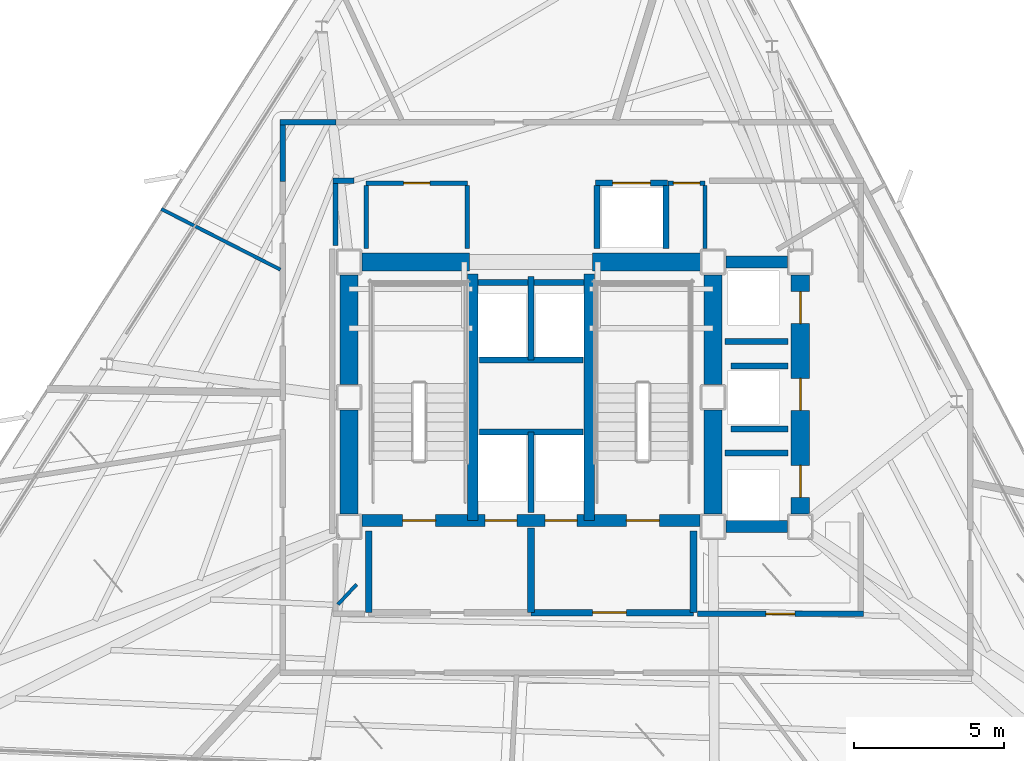
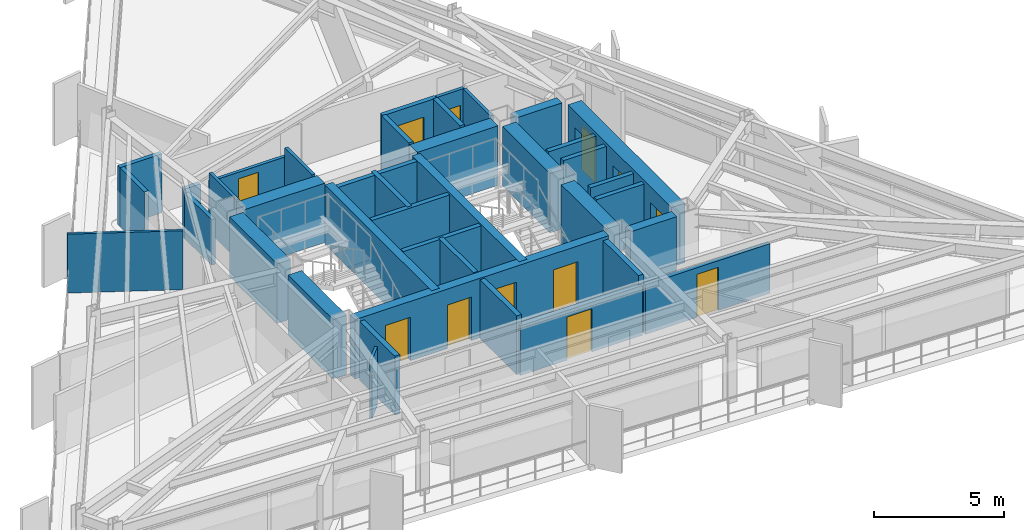
# One storey, part 8 of 12: 40 walls, 12 doors, 12 openings.
"""IFC4 building model written with IfcOpenShell, lengths in metres."""

from ifc_helpers import new_model, si_unit, direction, frame, frame_2d, origin, place, context, subcontext, project, spatial, rectangle, extrude, material, layer, layer_set, type_object, element, fill, save


model = new_model("IFC4")

# Units and contexts
model_context = context("Model", 3, precision=1e-05, world=origin(), true_north=direction((0.0, 1.0)))
body_context = subcontext(model_context, "Body", "Model", "MODEL_VIEW")
ifc_project = project(units=[si_unit("LENGTHUNIT", "METRE"), si_unit("AREAUNIT", "SQUARE_METRE"), si_unit("VOLUMEUNIT", "CUBIC_METRE"), si_unit("PLANEANGLEUNIT", "RADIAN"), si_unit("MASSUNIT", "GRAM", prefix="KILO")], contexts=[model_context])

# Site, building, storey
site_placement = place(None, origin())
site = spatial("IfcSite", under=ifc_project, at=site_placement, CompositionType="ELEMENT")
building_placement = place(site_placement, origin())
building = spatial("IfcBuilding", under=site, at=building_placement, Name="Rocaltana Carrier Exchange", CompositionType="ELEMENT")
storey_placement = place(building_placement, frame((0.0, 0.0, 141.1201171875)))
storey = spatial("IfcBuildingStorey", under=building, at=storey_placement, Name="L44", CompositionType="ELEMENT", Elevation=141.1201171875)

# Walls
ifc_material_1 = material(Name="Concrete C50/60", Category="concrete")
ifc_layer_1 = layer(ifc_material_1, 0.35009765625)
ifc_layer_set_1 = layer_set([ifc_layer_1], Name="Concrete C50/60")
wall_type_1 = type_object("IfcWallType", Name="Core Internal Shear Wall 350", PredefinedType="SHEAR", material=ifc_layer_set_1)
for number, where, z_axis, x_axis, name in (
    (1, (-1.93994140625, -4.10009765625, 0.0), (0.0, 0.0, 1.0), (0.0, 1.0, 0.0), "L44 Core Shear Wall CW-STW"),
    (2, (1.93994140625, -4.10009765625, 0.0), (0.0, 0.0, 1.0), (0.0, 1.0, 0.0), "L44 Core Shear Wall CW-STE"),
):
    element("IfcWall", number, at=place(storey_placement, frame(where, z_axis=z_axis, x_axis=x_axis)), inside=storey, type_object=wall_type_1, Name=name, PredefinedType="SHEAR", context=body_context, shape_type="SweptSolid", body=[
        extrude(rectangle(XDim=8.2001953125, YDim=0.35009765625, at=frame_2d((4.10009765625, 0.0))), origin(), (0.0, 0.0, 1.0), 2.787841796875),
    ])

# Wall, openings, doors
ifc_material_2 = material(Name="Concrete C50/60", Category="concrete")
ifc_layer_2 = layer(ifc_material_2, 0.39990234375)
ifc_layer_set_2 = layer_set([ifc_layer_2], Name="Concrete C50/60")
wall_type_2 = type_object("IfcWallType", Name="Core Internal Shear Wall 400", PredefinedType="SHEAR", material=ifc_layer_set_2)
wall_1_placement = place(storey_placement, frame((-5.625, -4.10009765625, 0.0), z_axis=(0.0, 0.0, 1.0), x_axis=(1.0, 0.0, 0.0)))
wall_1 = element("IfcWall", 3, at=wall_1_placement, inside=storey, type_object=wall_type_2, Name="L44 Core Shear Wall CW-S", PredefinedType="SHEAR", context=body_context, shape_type="SweptSolid", body=[
    extrude(rectangle(XDim=11.25, YDim=0.39990234375, at=frame_2d((5.625, 0.0))), origin(), (0.0, 0.0, 1.0), 2.787841796875),
])
opening_1_placement = place(wall_1_placement, frame((1.35498046875, 0.0, 0.0)))
opening_1 = element("IfcOpeningElement", 4, at=opening_1_placement, cuts=wall_1, Name="Opening D-ST110", PredefinedType="OPENING", context=body_context, shape_type="SweptSolid", body=[
    extrude(rectangle(XDim=1.10009765625, YDim=2.0400390625, at=frame_2d((0.550048828125, 1.02001953125))), frame((0.0, 0.2099609375, 0.0), z_axis=(0.0, -1.0, 0.0), x_axis=(1.0, 0.0, 0.0)), (0.0, 0.0, 1.0), 0.419921875),
])
opening_2_placement = place(wall_1_placement, frame((8.794921875, 0.0, 0.0)))
opening_2 = element("IfcOpeningElement", 5, at=opening_2_placement, cuts=wall_1, Name="Opening D-ST110", PredefinedType="OPENING", context=body_context, shape_type="SweptSolid", body=[
    extrude(rectangle(XDim=1.10009765625, YDim=2.0400390625, at=frame_2d((0.550048828125, 1.02001953125))), frame((0.0, 0.2099609375, 0.0), z_axis=(0.0, -1.0, 0.0), x_axis=(1.0, 0.0, 0.0)), (0.0, 0.0, 1.0), 0.419921875),
])
opening_3_placement = place(wall_1_placement, frame((4.094970703125, 0.0, 0.0)))
opening_3 = element("IfcOpeningElement", 6, at=opening_3_placement, cuts=wall_1, Name="Opening LD-110", PredefinedType="OPENING", context=body_context, shape_type="SweptSolid", body=[
    extrude(rectangle(XDim=1.06005859375, YDim=2.0400390625, at=frame_2d((0.530029296875, 1.02001953125))), frame((0.0, 0.2099609375, 0.0), z_axis=(0.0, -1.0, 0.0), x_axis=(1.0, 0.0, 0.0)), (0.0, 0.0, 1.0), 0.419921875),
])
opening_4_placement = place(wall_1_placement, frame((6.094970703125, 0.0, 0.0)))
opening_4 = element("IfcOpeningElement", 7, at=opening_4_placement, cuts=wall_1, Name="Opening LD-110", PredefinedType="OPENING", context=body_context, shape_type="SweptSolid", body=[
    extrude(rectangle(XDim=1.06005859375, YDim=2.0400390625, at=frame_2d((0.530029296875, 1.02001953125))), frame((0.0, 0.2099609375, 0.0), z_axis=(0.0, -1.0, 0.0), x_axis=(1.0, 0.0, 0.0)), (0.0, 0.0, 1.0), 0.419921875),
])
ifc_material_3 = material(Name="Hollow Metal Fire Door Assembly", Category="steel")
door_type_1 = type_object("IfcDoorType", Name="Exit Stair Fire Door 1100x2040 FD90S", OperationType="NOTDEFINED", PredefinedType="DOOR", material=ifc_material_3)
door_1_placement = place(opening_1_placement, origin())
door_1 = element("IfcDoor", 8, at=door_1_placement, inside=storey, type_object=door_type_1, Name="L44 Exit Stair ST1 Fire Door", OperationType="SINGLE_SWING_RIGHT", OverallHeight=2.0400390625, OverallWidth=1.10009765625, PredefinedType="DOOR", context=body_context, shape_type="SweptSolid", body=[
    extrude(rectangle(XDim=1.10009765625, YDim=2.0400390625, at=frame_2d((0.550048828125, 1.02001953125))), frame((0.0, 0.02490234375, 0.0), z_axis=(0.0, -1.0, 0.0), x_axis=(1.0, 0.0, 0.0)), (0.0, 0.0, 1.0), 0.050048828125),
])
fill(opening_1, door_1)
door_2_placement = place(opening_2_placement, origin())
door_2 = element("IfcDoor", 9, at=door_2_placement, inside=storey, type_object=door_type_1, Name="L44 Exit Stair ST2 Fire Door", OperationType="SINGLE_SWING_LEFT", OverallHeight=2.0400390625, OverallWidth=1.10009765625, PredefinedType="DOOR", context=body_context, shape_type="SweptSolid", body=[
    extrude(rectangle(XDim=1.10009765625, YDim=2.0400390625, at=frame_2d((0.550048828125, 1.02001953125))), frame((0.0, 0.02490234375, 0.0), z_axis=(0.0, -1.0, 0.0), x_axis=(1.0, 0.0, 0.0)), (0.0, 0.0, 1.0), 0.050048828125),
])
fill(opening_2, door_2)
ifc_material_4 = material(Name="Brushed Stainless Sliding Door Leaf", Category="steel")
door_type_2 = type_object("IfcDoorType", Name="Lift Landing Sliding Door 1060x2040", OperationType="NOTDEFINED", PredefinedType="DOOR", material=ifc_material_4)
door_3_placement = place(opening_3_placement, origin())
door_3 = element("IfcDoor", 10, at=door_3_placement, inside=storey, type_object=door_type_2, Name="L44 Firefighting Lift FFL1 Landing Door", OperationType="SLIDING_TO_LEFT", OverallHeight=2.0400390625, OverallWidth=1.06005859375, PredefinedType="DOOR", context=body_context, shape_type="SweptSolid", body=[
    extrude(rectangle(XDim=1.06005859375, YDim=2.0400390625, at=frame_2d((0.530029296875, 1.02001953125))), frame((0.0, 0.02490234375, 0.0), z_axis=(0.0, -1.0, 0.0), x_axis=(1.0, 0.0, 0.0)), (0.0, 0.0, 1.0), 0.050048828125),
])
fill(opening_3, door_3)
door_4_placement = place(opening_4_placement, origin())
door_4 = element("IfcDoor", 11, at=door_4_placement, inside=storey, type_object=door_type_2, Name="L44 Firefighting Lift FFL2 Landing Door", OperationType="SLIDING_TO_RIGHT", OverallHeight=2.0400390625, OverallWidth=1.06005859375, PredefinedType="DOOR", context=body_context, shape_type="SweptSolid", body=[
    extrude(rectangle(XDim=1.06005859375, YDim=2.0400390625, at=frame_2d((0.530029296875, 1.02001953125))), frame((0.0, 0.02490234375, 0.0), z_axis=(0.0, -1.0, 0.0), x_axis=(1.0, 0.0, 0.0)), (0.0, 0.0, 1.0), 0.050048828125),
])
fill(opening_4, door_4)

# Walls
for number, where, z_axis, x_axis, name in (
    (12, (6.47509765625, 4.5, 0.0), (0.0, 0.0, 1.0), (1.0, 0.0, 0.0), "L44 Core Shear Wall CW-EWN"),
    (13, (6.47509765625, -4.300048828125, 0.0), (0.0, 0.0, 1.0), (1.0, 0.0, 0.0), "L44 Core Shear Wall CW-EWS"),
):
    element("IfcWall", number, at=place(storey_placement, frame(where, z_axis=z_axis, x_axis=x_axis)), inside=storey, type_object=wall_type_2, Name=name, PredefinedType="SHEAR", context=body_context, shape_type="SweptSolid", body=[
        extrude(rectangle(XDim=2.0498046875, YDim=0.39990234375, at=frame_2d((1.02490234375, 0.0))), origin(), (0.0, 0.0, 1.0), 2.787841796875),
    ])
ifc_material_5 = material(Name="Concrete C50/60", Category="concrete")
ifc_layer_3 = layer(ifc_material_5, 0.60009765625)
ifc_layer_set_3 = layer_set([ifc_layer_3], Name="Concrete C50/60")
wall_type_3 = type_object("IfcWallType", Name="Core Shear Wall 600", PredefinedType="SHEAR", material=ifc_layer_set_3)
wall_2_placement = place(storey_placement, frame((-6.050048828125, 0.425048828125, 0.0), z_axis=(0.0, 0.0, 1.0), x_axis=(0.0, 1.0, 0.0)))
element("IfcWall", 14, at=wall_2_placement, inside=storey, type_object=wall_type_3, Name="L44 Core Shear Wall CW-WN", PredefinedType="SHEAR", context=body_context, shape_type="SweptSolid", body=[
    extrude(rectangle(XDim=3.64990234375, YDim=0.60009765625, at=frame_2d((1.824951171875, 0.0))), origin(), (0.0, 0.0, 1.0), 2.787841796875),
])
wall_3_placement = place(storey_placement, frame((-6.050048828125, -3.875, 0.0), z_axis=(0.0, 0.0, 1.0), x_axis=(0.0, 1.0, 0.0)))
element("IfcWall", 15, at=wall_3_placement, inside=storey, type_object=wall_type_3, Name="L44 Core Shear Wall CW-WS", PredefinedType="SHEAR", context=body_context, shape_type="SweptSolid", body=[
    extrude(rectangle(XDim=3.449951171875, YDim=0.60009765625, at=frame_2d((1.72509765625, 0.0))), origin(), (0.0, 0.0, 1.0), 2.787841796875),
])
wall_4_placement = place(storey_placement, frame((6.050048828125, 0.425048828125, 0.0), z_axis=(0.0, 0.0, 1.0), x_axis=(0.0, 1.0, 0.0)))
element("IfcWall", 16, at=wall_4_placement, inside=storey, type_object=wall_type_3, Name="L44 Core Shear Wall CW-EN", PredefinedType="SHEAR", context=body_context, shape_type="SweptSolid", body=[
    extrude(rectangle(XDim=3.64990234375, YDim=0.60009765625, at=frame_2d((1.824951171875, 0.0))), origin(), (0.0, 0.0, 1.0), 2.787841796875),
])
wall_5_placement = place(storey_placement, frame((6.050048828125, -3.875, 0.0), z_axis=(0.0, 0.0, 1.0), x_axis=(0.0, 1.0, 0.0)))
element("IfcWall", 17, at=wall_5_placement, inside=storey, type_object=wall_type_3, Name="L44 Core Shear Wall CW-ES", PredefinedType="SHEAR", context=body_context, shape_type="SweptSolid", body=[
    extrude(rectangle(XDim=3.449951171875, YDim=0.60009765625, at=frame_2d((1.72509765625, 0.0))), origin(), (0.0, 0.0, 1.0), 2.787841796875),
])
for number, where, z_axis, x_axis, name in (
    (18, (-5.625, 4.5, 0.0), (0.0, 0.0, 1.0), (1.0, 0.0, 0.0), "L44 Core Shear Wall CW-N1"),
    (19, (2.050048828125, 4.5, 0.0), (0.0, 0.0, 1.0), (1.0, 0.0, 0.0), "L44 Core Shear Wall CW-N2"),
):
    element("IfcWall", number, at=place(storey_placement, frame(where, z_axis=z_axis, x_axis=x_axis)), inside=storey, type_object=wall_type_3, Name=name, PredefinedType="SHEAR", context=body_context, shape_type="SweptSolid", body=[
        extrude(rectangle(XDim=3.574951171875, YDim=0.60009765625, at=frame_2d((1.78759765625, 0.0))), origin(), (0.0, 0.0, 1.0), 2.787841796875),
    ])

# Wall, openings, doors
wall_6_placement = place(storey_placement, frame((8.949951171875, -3.875, 0.0), z_axis=(0.0, 0.0, 1.0), x_axis=(0.0, 1.0, 0.0)))
wall_6 = element("IfcWall", 20, at=wall_6_placement, inside=storey, type_object=wall_type_3, Name="L44 Core Shear Wall CW-EW", PredefinedType="SHEAR", context=body_context, shape_type="SweptSolid", body=[
    extrude(rectangle(XDim=7.949951171875, YDim=0.60009765625, at=frame_2d((3.97509765625, 0.0))), origin(), (0.0, 0.0, 1.0), 2.787841796875),
])
opening_5_placement = place(wall_6_placement, frame((0.550048828125, 0.0, 0.0)))
opening_5 = element("IfcOpeningElement", 21, at=opening_5_placement, cuts=wall_6, Name="Opening LD-110", PredefinedType="OPENING", context=body_context, shape_type="SweptSolid", body=[
    extrude(rectangle(XDim=1.06005859375, YDim=2.0400390625, at=frame_2d((0.530029296875, 1.02001953125))), frame((0.0, 0.31005859375, 0.0), z_axis=(0.0, -1.0, 0.0), x_axis=(1.0, 0.0, 0.0)), (0.0, 0.0, 1.0), 0.6201171875),
])
opening_6_placement = place(wall_6_placement, frame((3.445068359375, 0.0, 0.0)))
opening_6 = element("IfcOpeningElement", 22, at=opening_6_placement, cuts=wall_6, Name="Opening LD-110", PredefinedType="OPENING", context=body_context, shape_type="SweptSolid", body=[
    extrude(rectangle(XDim=1.06005859375, YDim=2.0400390625, at=frame_2d((0.530029296875, 1.02001953125))), frame((0.0, 0.31005859375, 0.0), z_axis=(0.0, -1.0, 0.0), x_axis=(1.0, 0.0, 0.0)), (0.0, 0.0, 1.0), 0.6201171875),
])
opening_7_placement = place(wall_6_placement, frame((6.330078125, 0.0, 0.0)))
opening_7 = element("IfcOpeningElement", 23, at=opening_7_placement, cuts=wall_6, Name="Opening LD-110", PredefinedType="OPENING", context=body_context, shape_type="SweptSolid", body=[
    extrude(rectangle(XDim=1.06005859375, YDim=2.0400390625, at=frame_2d((0.530029296875, 1.02001953125))), frame((0.0, 0.31005859375, 0.0), z_axis=(0.0, -1.0, 0.0), x_axis=(1.0, 0.0, 0.0)), (0.0, 0.0, 1.0), 0.6201171875),
])
door_5_placement = place(opening_5_placement, origin())
door_5 = element("IfcDoor", 24, at=door_5_placement, inside=storey, type_object=door_type_2, Name="L44 Mid-Rise Lift PL-M1 Landing Door", OperationType="SLIDING_TO_LEFT", OverallHeight=2.0400390625, OverallWidth=1.06005859375, PredefinedType="DOOR", context=body_context, shape_type="SweptSolid", body=[
    extrude(rectangle(XDim=1.06005859375, YDim=2.0400390625, at=frame_2d((0.530029296875, 1.02001953125))), frame((0.0, 0.02490234375, 0.0), z_axis=(0.0, -1.0, 0.0), x_axis=(1.0, 0.0, 0.0)), (0.0, 0.0, 1.0), 0.050048828125),
])
fill(opening_5, door_5)
door_6_placement = place(opening_6_placement, origin())
door_6 = element("IfcDoor", 25, at=door_6_placement, inside=storey, type_object=door_type_2, Name="L44 Mid-Rise Lift PL-M2 Landing Door", OperationType="SLIDING_TO_RIGHT", OverallHeight=2.0400390625, OverallWidth=1.06005859375, PredefinedType="DOOR", context=body_context, shape_type="SweptSolid", body=[
    extrude(rectangle(XDim=1.06005859375, YDim=2.0400390625, at=frame_2d((0.530029296875, 1.02001953125))), frame((0.0, 0.02490234375, 0.0), z_axis=(0.0, -1.0, 0.0), x_axis=(1.0, 0.0, 0.0)), (0.0, 0.0, 1.0), 0.050048828125),
])
fill(opening_6, door_6)
door_7_placement = place(opening_7_placement, origin())
door_7 = element("IfcDoor", 26, at=door_7_placement, inside=storey, type_object=door_type_2, Name="L44 Mid-Rise Lift PL-M3 Landing Door", OperationType="SLIDING_TO_LEFT", OverallHeight=2.0400390625, OverallWidth=1.06005859375, PredefinedType="DOOR", context=body_context, shape_type="SweptSolid", body=[
    extrude(rectangle(XDim=1.06005859375, YDim=2.0400390625, at=frame_2d((0.530029296875, 1.02001953125))), frame((0.0, 0.02490234375, 0.0), z_axis=(0.0, -1.0, 0.0), x_axis=(1.0, 0.0, 0.0)), (0.0, 0.0, 1.0), 0.050048828125),
])
fill(opening_7, door_7)

# Walls
ifc_material_6 = material(Name="Gypsum & Steel Stud Partition", Category="steel")
ifc_layer_4 = layer(ifc_material_6, 0.179931640625)
ifc_layer_set_4 = layer_set([ifc_layer_4], Name="Gypsum & Steel Stud Partition")
wall_type_4 = type_object("IfcWallType", Name="Corridor Fire Partition 180 EI60", PredefinedType="PARTITIONING", material=ifc_layer_set_4)
wall_7_placement = place(storey_placement, frame((-8.25, 7.179931640625, 0.0), z_axis=(0.0, 0.0, 1.0), x_axis=(0.0, 1.0, 0.0)))
element("IfcWall", 27, at=wall_7_placement, inside=storey, type_object=wall_type_4, Name="L44 Corridor Partition 4", PredefinedType="PARTITIONING", context=body_context, shape_type="SweptSolid", body=[
    extrude(rectangle(XDim=1.880126953125, YDim=0.179931640625, at=frame_2d((0.93994140625, 0.0))), origin(), (0.0, 0.0, 1.0), 2.762939453125),
])
wall_8_placement = place(storey_placement, frame((-8.340087890625, 9.14990234375, 0.0), z_axis=(0.0, 0.0, 1.0), x_axis=(1.0, 0.0, 0.0)))
element("IfcWall", 28, at=wall_8_placement, inside=storey, type_object=wall_type_4, Name="L44 Corridor Partition 5", PredefinedType="PARTITIONING", context=body_context, shape_type="SweptSolid", body=[
    extrude(rectangle(XDim=1.860107421875, YDim=0.179931640625, at=frame_2d((0.93017578125, 0.0))), origin(), (0.0, 0.0, 1.0), 2.762939453125),
])

# Wall, opening, door
wall_9_placement = place(storey_placement, frame((5.530029296875, -7.199951171875, 0.0), z_axis=(0.0, 0.0, 1.0), x_axis=(1.0, 0.0, 0.0)))
wall_9 = element("IfcWall", 29, at=wall_9_placement, inside=storey, type_object=wall_type_4, Name="L44 Corridor Partition 12", PredefinedType="PARTITIONING", context=body_context, shape_type="SweptSolid", body=[
    extrude(rectangle(XDim=5.52001953125, YDim=0.179931640625, at=frame_2d((2.760009765625, 0.0))), origin(), (0.0, 0.0, 1.0), 2.329833984375),
])
opening_8_placement = place(wall_9_placement, frame((2.280029296875, 0.0, 0.0)))
opening_8 = element("IfcOpeningElement", 30, at=opening_8_placement, cuts=wall_9, Name="Opening D-RM098", PredefinedType="OPENING", context=body_context, shape_type="SweptSolid", body=[
    extrude(rectangle(XDim=0.9599609375, YDim=2.02001953125, at=frame_2d((0.47998046875, 1.010009765625))), frame((0.0, 0.099853515625, 0.0), z_axis=(0.0, -1.0, 0.0), x_axis=(1.0, 0.0, 0.0)), (0.0, 0.0, 1.0), 0.199951171875),
])
ifc_material_7 = material(Name="Engineered Hardwood Timber", Category="wood")
door_type_3 = type_object("IfcDoorType", Name="Workspace Single Door 960x2020", OperationType="NOTDEFINED", PredefinedType="DOOR", material=ifc_material_7)
door_8_placement = place(opening_8_placement, origin())
door_8 = element("IfcDoor", 31, at=door_8_placement, inside=storey, type_object=door_type_3, Name="L44 Peering Conference Room Entrance Door", OperationType="SINGLE_SWING_RIGHT", OverallHeight=2.02001953125, OverallWidth=0.9599609375, PredefinedType="DOOR", context=body_context, shape_type="SweptSolid", body=[
    extrude(rectangle(XDim=0.9599609375, YDim=2.02001953125, at=frame_2d((0.47998046875, 1.010009765625))), frame((0.0, 0.02490234375, 0.0), z_axis=(0.0, -1.0, 0.0), x_axis=(1.0, 0.0, 0.0)), (0.0, 0.0, 1.0), 0.050048828125),
])
fill(opening_8, door_8)

# Walls
wall_10_placement = place(storey_placement, frame((-5.8798828125, 7.199951171875, 0.0), z_axis=(0.0, 0.0, 1.0), x_axis=(-1.0, 0.0, 0.0)))
element("IfcWall", 32, at=wall_10_placement, inside=storey, type_object=wall_type_4, Name="L44 Corridor Partition 16", PredefinedType="PARTITIONING", context=body_context, shape_type="SweptSolid", body=[
    extrude(rectangle(XDim=0.710205078125, YDim=0.179931640625, at=frame_2d((0.35498046875, 0.0))), origin(), (0.0, 0.0, 1.0), 2.329833984375),
])
wall_11_placement = place(storey_placement, frame((-6.5, 7.110107421875, 0.0), z_axis=(0.0, 0.0, 1.0), x_axis=(0.0, -1.0, 0.0)))
element("IfcWall", 33, at=wall_11_placement, inside=storey, type_object=wall_type_4, Name="L44 Corridor Partition 17", PredefinedType="PARTITIONING", context=body_context, shape_type="SweptSolid", body=[
    extrude(rectangle(XDim=2.058349609375, YDim=0.179931640625, at=frame_2d((1.029296875, 0.0))), origin(), (0.0, 0.0, 1.0), 2.1318359375),
])
ifc_material_8 = material(Name="Aluminium 6063-T6 & Acoustic Glass", Category="aluminium")
ifc_layer_5 = layer(ifc_material_8, 0.114990234375)
ifc_layer_set_5 = layer_set([ifc_layer_5], Name="Aluminium 6063-T6 & Acoustic Glass")
wall_type_5 = type_object("IfcWallType", Name="Demountable Glazed Lab Partition 115", PredefinedType="MOVABLE", material=ifc_layer_set_5)
wall_12_placement = place(storey_placement, frame((-5.800048828125, -6.2197265625, 0.0), z_axis=(0.0, 0.0, 1.0), x_axis=(-0.681964083565, -0.731385663469, 0.0)))
element("IfcWall", 34, at=wall_12_placement, inside=storey, type_object=wall_type_5, Name="L44 Suite Divider Wall D2", PredefinedType="MOVABLE", context=body_context, shape_type="SweptSolid", body=[
    extrude(rectangle(XDim=0.908935546875, YDim=0.114990234375, at=frame_2d((0.45458984375, 0.0))), origin(), (0.0, 0.0, 1.0), 2.762939453125),
])
wall_13_placement = place(storey_placement, frame((-8.330078125, 4.244384765625, 0.0), z_axis=(0.0, 0.0, 1.0), x_axis=(-0.890996324909, 0.454010516397, 0.0)))
element("IfcWall", 35, at=wall_13_placement, inside=storey, type_object=wall_type_5, Name="L44 Suite Divider Wall D11", PredefinedType="MOVABLE", context=body_context, shape_type="SweptSolid", body=[
    extrude(rectangle(XDim=4.445556640625, YDim=0.114990234375, at=frame_2d((2.22265625, 0.0))), origin(), (0.0, 0.0, 1.0), 2.762939453125),
])
ifc_material_9 = material(Name="Autoclaved Aerated Concrete C30/37", Category="concrete")
ifc_layer_6 = layer(ifc_material_9, 0.219970703125)
ifc_layer_set_6 = layer_set([ifc_layer_6], Name="Autoclaved Aerated Concrete C30/37")
wall_type_6 = type_object("IfcWallType", Name="Firefighting Lobby Wall 220 EI120", PredefinedType="PARTITIONING", material=ifc_layer_set_6)
for number, where, z_axis, x_axis, name in (
    (36, (-5.39990234375, -7.159912109375, 0.0), (0.0, 0.0, 1.0), (0.0, 1.0, 0.0), "L44 FFL Lobby 1 West Wall"),
    (37, (5.39990234375, -7.159912109375, 0.0), (0.0, 0.0, 1.0), (0.0, 1.0, 0.0), "L44 FFL Lobby 2 East Wall"),
):
    element("IfcWall", number, at=place(storey_placement, frame(where, z_axis=z_axis, x_axis=x_axis)), inside=storey, type_object=wall_type_6, Name=name, PredefinedType="PARTITIONING", context=body_context, shape_type="SweptSolid", body=[
        extrude(rectangle(XDim=2.7099609375, YDim=0.219970703125, at=frame_2d((1.35498046875, 0.0))), origin(), (0.0, 0.0, 1.0), 2.762939453125),
    ])
wall_14_placement = place(storey_placement, frame((0.0, -7.159912109375, 0.0), z_axis=(0.0, 0.0, 1.0), x_axis=(0.0, 1.0, 0.0)))
element("IfcWall", 38, at=wall_14_placement, inside=storey, type_object=wall_type_6, Name="L44 FFL Lobby Centre Wall", PredefinedType="PARTITIONING", context=body_context, shape_type="SweptSolid", body=[
    extrude(rectangle(XDim=2.809814453125, YDim=0.219970703125, at=frame_2d((1.40478515625, 0.0))), origin(), (0.0, 0.0, 1.0), 2.762939453125),
])

# Wall, opening, door
wall_15_placement = place(storey_placement, frame((0.0, -7.159912109375, 0.0), z_axis=(0.0, 0.0, 1.0), x_axis=(1.0, 0.0, 0.0)))
wall_15 = element("IfcWall", 39, at=wall_15_placement, inside=storey, type_object=wall_type_6, Name="L44 FFL Lobby 2 South Wall", PredefinedType="PARTITIONING", context=body_context, shape_type="SweptSolid", body=[
    extrude(rectangle(XDim=5.39990234375, YDim=0.219970703125, at=frame_2d((2.699951171875, 0.0))), origin(), (0.0, 0.0, 1.0), 2.329833984375),
])
opening_9_placement = place(wall_15_placement, frame((2.050048828125, 0.0, 0.0)))
opening_9 = element("IfcOpeningElement", 40, at=opening_9_placement, cuts=wall_15, Name="Opening D-FF115", PredefinedType="OPENING", context=body_context, shape_type="SweptSolid", body=[
    extrude(rectangle(XDim=1.1201171875, YDim=2.02001953125, at=frame_2d((0.56005859375, 1.010009765625))), frame((0.0, 0.119873046875, 0.0), z_axis=(0.0, -1.0, 0.0), x_axis=(1.0, 0.0, 0.0)), (0.0, 0.0, 1.0), 0.239990234375),
])
ifc_material_10 = material(Name="Hollow Metal Fire Door Assembly", Category="steel")
door_type_4 = type_object("IfcDoorType", Name="Firefighting Lobby Door 1120x2020 FD60S", OperationType="NOTDEFINED", PredefinedType="DOOR", material=ifc_material_10)
door_9_placement = place(opening_9_placement, origin())
door_9 = element("IfcDoor", 41, at=door_9_placement, inside=storey, type_object=door_type_4, Name="L44 Firefighting Lift Lobby 2 Door", OperationType="SINGLE_SWING_LEFT", OverallHeight=2.02001953125, OverallWidth=1.1201171875, PredefinedType="DOOR", context=body_context, shape_type="SweptSolid", body=[
    extrude(rectangle(XDim=1.1201171875, YDim=2.02001953125, at=frame_2d((0.56005859375, 1.010009765625))), frame((0.0, 0.02490234375, 0.0), z_axis=(0.0, -1.0, 0.0), x_axis=(1.0, 0.0, 0.0)), (0.0, 0.0, 1.0), 0.050048828125),
])
fill(opening_9, door_9)

# Walls
ifc_material_11 = material(Name="Reinforced Concrete Block C35/45", Category="concrete")
ifc_layer_7 = layer(ifc_material_11, 0.199951171875)
ifc_layer_set_7 = layer_set([ifc_layer_7], Name="Reinforced Concrete Block C35/45")
wall_type_7 = type_object("IfcWallType", Name="Lift Hoistway Enclosure Wall 200 EI120", PredefinedType="PARTITIONING", material=ifc_layer_set_7)
wall_16_placement = place(storey_placement, frame((0.0, -3.820068359375, 0.0), z_axis=(0.0, 0.0, 1.0), x_axis=(0.0, 1.0, 0.0)))
element("IfcWall", 42, at=wall_16_placement, inside=storey, type_object=wall_type_7, Name="L44 FFL Shaft Divider", PredefinedType="PARTITIONING", context=body_context, shape_type="SweptSolid", body=[
    extrude(rectangle(XDim=2.670166015625, YDim=0.199951171875, at=frame_2d((1.3349609375, 0.0))), origin(), (0.0, 0.0, 1.0), 2.762939453125),
])
wall_17_placement = place(storey_placement, frame((-1.719970703125, -1.14990234375, 0.0), z_axis=(0.0, 0.0, 1.0), x_axis=(1.0, 0.0, 0.0)))
element("IfcWall", 43, at=wall_17_placement, inside=storey, type_object=wall_type_7, Name="L44 FFL Shaft Back Wall", PredefinedType="PARTITIONING", context=body_context, shape_type="SweptSolid", body=[
    extrude(rectangle(XDim=3.43994140625, YDim=0.199951171875, at=frame_2d((1.719970703125, 0.0))), origin(), (0.0, 0.0, 1.0), 2.762939453125),
])
wall_18_placement = place(storey_placement, frame((0.0, 1.25, 0.0), z_axis=(0.0, 0.0, 1.0), x_axis=(0.0, 1.0, 0.0)))
element("IfcWall", 44, at=wall_18_placement, inside=storey, type_object=wall_type_7, Name="L44 High-Rise Shaft Divider", PredefinedType="PARTITIONING", context=body_context, shape_type="SweptSolid", body=[
    extrude(rectangle(XDim=2.77001953125, YDim=0.199951171875, at=frame_2d((1.385009765625, 0.0))), origin(), (0.0, 0.0, 1.0), 2.762939453125),
])
wall_19_placement = place(storey_placement, frame((-1.719970703125, 1.25, 0.0), z_axis=(0.0, 0.0, 1.0), x_axis=(1.0, 0.0, 0.0)))
element("IfcWall", 45, at=wall_19_placement, inside=storey, type_object=wall_type_7, Name="L44 High-Rise Shaft Back Wall", PredefinedType="PARTITIONING", context=body_context, shape_type="SweptSolid", body=[
    extrude(rectangle(XDim=3.43994140625, YDim=0.199951171875, at=frame_2d((1.719970703125, 0.0))), origin(), (0.0, 0.0, 1.0), 2.762939453125),
])
wall_20_placement = place(storey_placement, frame((-1.760009765625, 3.820068359375, 0.0), z_axis=(0.0, 0.0, 1.0), x_axis=(1.0, 0.0, 0.0)))
element("IfcWall", 46, at=wall_20_placement, inside=storey, type_object=wall_type_7, Name="L44 High-Rise Lift Front Wall", PredefinedType="PARTITIONING", context=body_context, shape_type="SweptSolid", body=[
    extrude(rectangle(XDim=3.52001953125, YDim=0.199951171875, at=frame_2d((1.760009765625, 0.0))), origin(), (0.0, 0.0, 1.0), 2.762939453125),
])
for number, where, z_axis, x_axis, name in (
    (47, (2.199951171875, 4.949951171875, 0.0), (0.0, 0.0, 1.0), (0.0, 1.0, 0.0), "L44 Goods Lift West Wall"),
    (48, (4.47998046875, 4.949951171875, 0.0), (0.0, 0.0, 1.0), (0.0, 1.0, 0.0), "L44 Goods Lift East Wall"),
):
    element("IfcWall", number, at=place(storey_placement, frame(where, z_axis=z_axis, x_axis=x_axis)), inside=storey, type_object=wall_type_7, Name=name, PredefinedType="PARTITIONING", context=body_context, shape_type="SweptSolid", body=[
        extrude(rectangle(XDim=2.10009765625, YDim=0.199951171875, at=frame_2d((1.050048828125, 0.0))), origin(), (0.0, 0.0, 1.0), 2.762939453125),
    ])

# Wall, opening, door
wall_21_placement = place(storey_placement, frame((2.14990234375, 7.1201171875, 0.0), z_axis=(0.0, 0.0, 1.0), x_axis=(1.0, 0.0, 0.0)))
wall_21 = element("IfcWall", 49, at=wall_21_placement, inside=storey, type_object=wall_type_7, Name="L44 Goods Lift Front Wall", PredefinedType="PARTITIONING", context=body_context, shape_type="SweptSolid", body=[
    extrude(rectangle(XDim=2.380126953125, YDim=0.199951171875, at=frame_2d((1.18994140625, 0.0))), origin(), (0.0, 0.0, 1.0), 2.762939453125),
])
opening_10_placement = place(wall_21_placement, frame((0.56005859375, 0.0, 0.0)))
opening_10 = element("IfcOpeningElement", 50, at=opening_10_placement, cuts=wall_21, Name="Opening LD-130", PredefinedType="OPENING", context=body_context, shape_type="SweptSolid", body=[
    extrude(rectangle(XDim=1.260009765625, YDim=2.06005859375, at=frame_2d((0.6298828125, 1.030029296875))), frame((0.0, 0.10986328125, 0.0), z_axis=(0.0, -1.0, 0.0), x_axis=(1.0, 0.0, 0.0)), (0.0, 0.0, 1.0), 0.219970703125),
])
ifc_material_12 = material(Name="Brushed Stainless Sliding Door Leaf", Category="steel")
door_type_5 = type_object("IfcDoorType", Name="Goods Lift Landing Sliding Door 1260x2060", OperationType="NOTDEFINED", PredefinedType="DOOR", material=ifc_material_12)
door_10_placement = place(opening_10_placement, origin())
door_10 = element("IfcDoor", 51, at=door_10_placement, inside=storey, type_object=door_type_5, Name="L44 Goods Lift GL-1 Landing Door", OperationType="SLIDING_TO_LEFT", OverallHeight=2.06005859375, OverallWidth=1.260009765625, PredefinedType="DOOR", context=body_context, shape_type="SweptSolid", body=[
    extrude(rectangle(XDim=1.260009765625, YDim=2.06005859375, at=frame_2d((0.6298828125, 1.030029296875))), frame((0.0, 0.02490234375, 0.0), z_axis=(0.0, -1.0, 0.0), x_axis=(1.0, 0.0, 0.0)), (0.0, 0.0, 1.0), 0.050048828125),
])
fill(opening_10, door_10)

# Walls
for number, where, z_axis, x_axis, name in (
    (52, (6.449951171875, -1.85009765625, 0.0), (0.0, 0.0, 1.0), (1.0, 0.0, 0.0), "L44 Mid-Rise Shaft Divider 1"),
    (53, (6.449951171875, 1.85009765625, 0.0), (0.0, 0.0, 1.0), (1.0, 0.0, 0.0), "L44 Mid-Rise Shaft Divider 2"),
):
    element("IfcWall", number, at=place(storey_placement, frame(where, z_axis=z_axis, x_axis=x_axis)), inside=storey, type_object=wall_type_7, Name=name, PredefinedType="PARTITIONING", context=body_context, shape_type="SweptSolid", body=[
        extrude(rectangle(XDim=2.10009765625, YDim=0.199951171875, at=frame_2d((1.050048828125, 0.0))), origin(), (0.0, 0.0, 1.0), 2.762939453125),
    ])
for number, where, z_axis, x_axis, name in (
    (54, (6.639892578125, -1.050048828125, 0.0), (0.0, 0.0, 1.0), (1.0, 0.0, 0.0), "L44 Mid-Rise Center Shaft Wall South"),
    (55, (6.639892578125, 1.050048828125, 0.0), (0.0, 0.0, 1.0), (1.0, 0.0, 0.0), "L44 Mid-Rise Center Shaft Wall North"),
):
    element("IfcWall", number, at=place(storey_placement, frame(where, z_axis=z_axis, x_axis=x_axis)), inside=storey, type_object=wall_type_7, Name=name, PredefinedType="PARTITIONING", context=body_context, shape_type="SweptSolid", body=[
        extrude(rectangle(XDim=1.91015625, YDim=0.199951171875, at=frame_2d((0.955078125, 0.0))), origin(), (0.0, 0.0, 1.0), 2.762939453125),
    ])
ifc_material_13 = material(Name="Moisture-Resistant Masonry C30/37", Category="masonry")
ifc_layer_8 = layer(ifc_material_13, 0.139892578125)
ifc_layer_set_8 = layer_set([ifc_layer_8], Name="Moisture-Resistant Masonry C30/37")
wall_type_8 = type_object("IfcWallType", Name="Wet-Area Sanitary Partition 140", PredefinedType="PARTITIONING", material=ifc_layer_set_8)
for number, where, z_axis, x_axis, name in (
    (56, (-5.47998046875, 4.949951171875, 0.0), (0.0, 0.0, 1.0), (0.0, 1.0, 0.0), "L44 Sanitary West Wall"),
    (57, (-2.1201171875, 4.949951171875, 0.0), (0.0, 0.0, 1.0), (0.0, 1.0, 0.0), "L44 Sanitary East Wall"),
):
    element("IfcWall", number, at=place(storey_placement, frame(where, z_axis=z_axis, x_axis=x_axis)), inside=storey, type_object=wall_type_8, Name=name, PredefinedType="PARTITIONING", context=body_context, shape_type="SweptSolid", body=[
        extrude(rectangle(XDim=2.10009765625, YDim=0.139892578125, at=frame_2d((1.050048828125, 0.0))), origin(), (0.0, 0.0, 1.0), 2.762939453125),
    ])

# Wall, opening, door
wall_22_placement = place(storey_placement, frame((-5.47998046875, 7.1201171875, 0.0), z_axis=(0.0, 0.0, 1.0), x_axis=(1.0, 0.0, 0.0)))
wall_22 = element("IfcWall", 58, at=wall_22_placement, inside=storey, type_object=wall_type_8, Name="L44 Sanitary North Wall", PredefinedType="PARTITIONING", context=body_context, shape_type="SweptSolid", body=[
    extrude(rectangle(XDim=3.35986328125, YDim=0.139892578125, at=frame_2d((1.679931640625, 0.0))), origin(), (0.0, 0.0, 1.0), 2.329833984375),
])
opening_11_placement = place(wall_22_placement, frame((1.239990234375, 0.0, 0.0)))
opening_11 = element("IfcOpeningElement", 59, at=opening_11_placement, cuts=wall_22, Name="Opening D-WC090", PredefinedType="OPENING", context=body_context, shape_type="SweptSolid", body=[
    extrude(rectangle(XDim=0.8798828125, YDim=2.02001953125, at=frame_2d((0.43994140625, 1.010009765625))), frame((0.0, 0.079833984375, 0.0), z_axis=(0.0, -1.0, 0.0), x_axis=(1.0, 0.0, 0.0)), (0.0, 0.0, 1.0), 0.159912109375),
])
ifc_material_14 = material(Name="High-Pressure Laminate Timber", Category="wood")
door_type_6 = type_object("IfcDoorType", Name="Restroom & Accessible WC Door 880x2020", OperationType="NOTDEFINED", PredefinedType="DOOR", material=ifc_material_14)
door_11_placement = place(opening_11_placement, origin())
door_11 = element("IfcDoor", 60, at=door_11_placement, inside=storey, type_object=door_type_6, Name="L44 Accessible Toilet Door", OperationType="SINGLE_SWING_RIGHT", OverallHeight=2.02001953125, OverallWidth=0.8798828125, PredefinedType="DOOR", context=body_context, shape_type="SweptSolid", body=[
    extrude(rectangle(XDim=0.8798828125, YDim=2.02001953125, at=frame_2d((0.43994140625, 1.010009765625))), frame((0.0, 0.02490234375, 0.0), z_axis=(0.0, -1.0, 0.0), x_axis=(1.0, 0.0, 0.0)), (0.0, 0.0, 1.0), 0.050048828125),
])
fill(opening_11, door_11)

# Wall
wall_23_placement = place(storey_placement, frame((5.780029296875, 4.949951171875, 0.0), z_axis=(0.0, 0.0, 1.0), x_axis=(0.0, 1.0, 0.0)))
element("IfcWall", 61, at=wall_23_placement, inside=storey, type_object=wall_type_8, Name="L44 Restroom East Wall", PredefinedType="PARTITIONING", context=body_context, shape_type="SweptSolid", body=[
    extrude(rectangle(XDim=2.10009765625, YDim=0.139892578125, at=frame_2d((1.050048828125, 0.0))), origin(), (0.0, 0.0, 1.0), 2.762939453125),
])

# Wall, opening, door
wall_24_placement = place(storey_placement, frame((4.56005859375, 7.1201171875, 0.0), z_axis=(0.0, 0.0, 1.0), x_axis=(1.0, 0.0, 0.0)))
wall_24 = element("IfcWall", 62, at=wall_24_placement, inside=storey, type_object=wall_type_8, Name="L44 Restroom North Wall", PredefinedType="PARTITIONING", context=body_context, shape_type="SweptSolid", body=[
    extrude(rectangle(XDim=1.219970703125, YDim=0.139892578125, at=frame_2d((0.60986328125, 0.0))), origin(), (0.0, 0.0, 1.0), 2.762939453125),
])
opening_12_placement = place(wall_24_placement, frame((0.169921875, 0.0, 0.0)))
opening_12 = element("IfcOpeningElement", 63, at=opening_12_placement, cuts=wall_24, Name="Opening D-WC090", PredefinedType="OPENING", context=body_context, shape_type="SweptSolid", body=[
    extrude(rectangle(XDim=0.8798828125, YDim=2.02001953125, at=frame_2d((0.43994140625, 1.010009765625))), frame((0.0, 0.079833984375, 0.0), z_axis=(0.0, -1.0, 0.0), x_axis=(1.0, 0.0, 0.0)), (0.0, 0.0, 1.0), 0.159912109375),
])
door_12_placement = place(opening_12_placement, origin())
door_12 = element("IfcDoor", 64, at=door_12_placement, inside=storey, type_object=door_type_6, Name="L44 Staff Restroom Door", OperationType="SINGLE_SWING_LEFT", OverallHeight=2.02001953125, OverallWidth=0.8798828125, PredefinedType="DOOR", context=body_context, shape_type="SweptSolid", body=[
    extrude(rectangle(XDim=0.8798828125, YDim=2.02001953125, at=frame_2d((0.43994140625, 1.010009765625))), frame((0.0, 0.02490234375, 0.0), z_axis=(0.0, -1.0, 0.0), x_axis=(1.0, 0.0, 0.0)), (0.0, 0.0, 1.0), 0.050048828125),
])
fill(opening_12, door_12)

save(model, "model.ifc")
